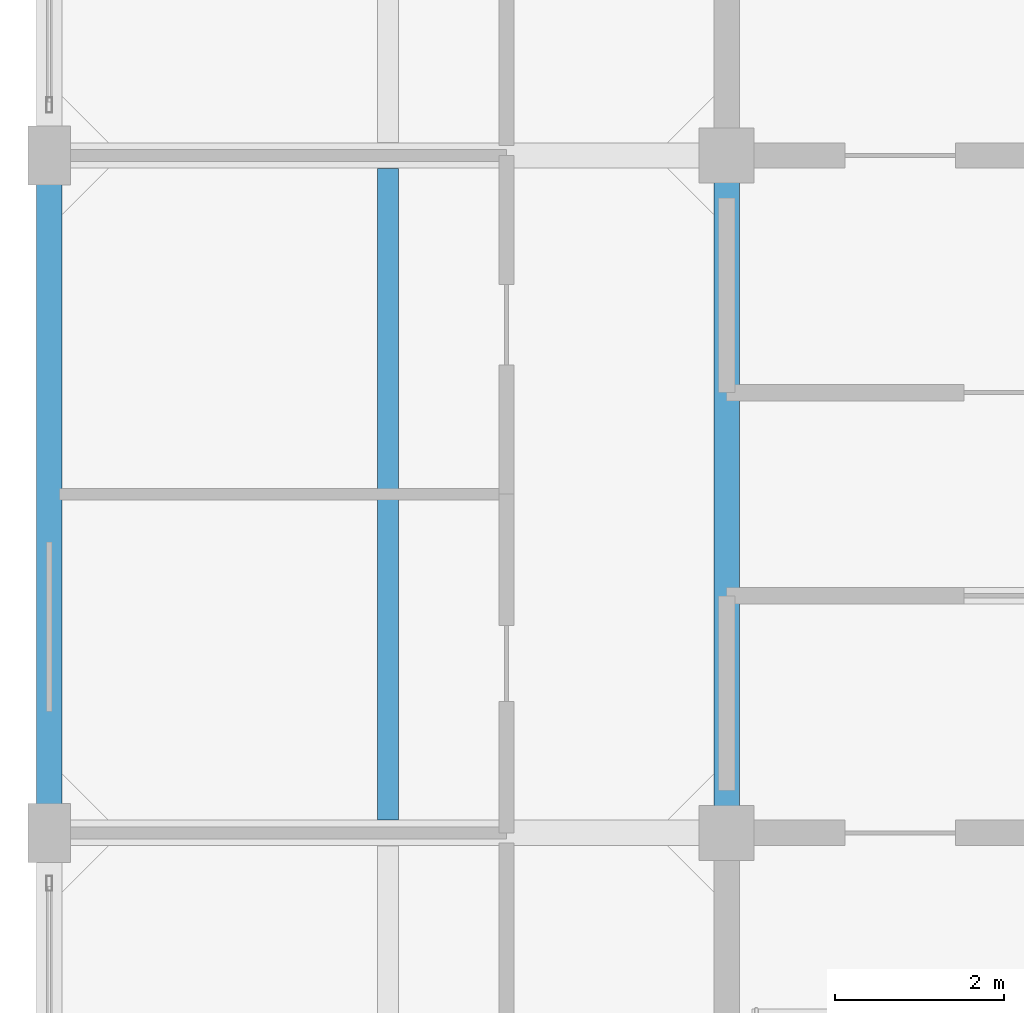
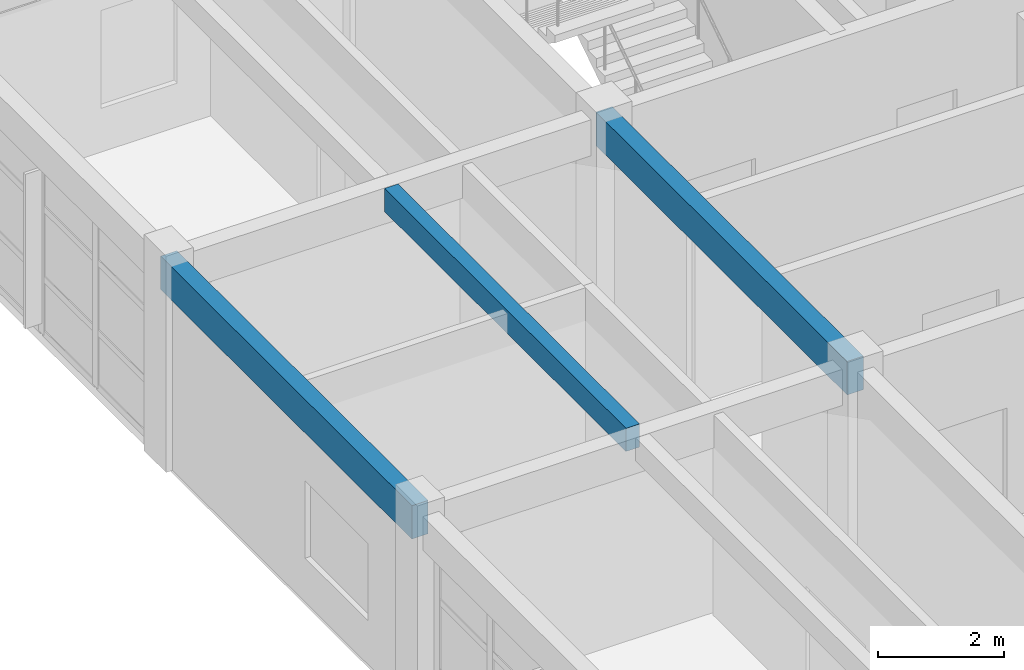
# One storey, part 3 of 16: 3 beams.
"""IFC4 building model written with IfcOpenShell, lengths in metres."""

from ifc_helpers import new_model, si_unit, direction, frame, origin, origin_2d, place, context, subcontext, project, spatial, rectangle, extrude, material, material_profile, profile_set, type_object, element, save


model = new_model("IFC4")

# Units and contexts
model_context = context("Model", 3, precision=1e-05, world=origin(), true_north=direction((0.0, 1.0)))
body_context = subcontext(model_context, "Body", "Model", "MODEL_VIEW")
ifc_project = project(units=[si_unit("LENGTHUNIT", "METRE"), si_unit("AREAUNIT", "SQUARE_METRE"), si_unit("VOLUMEUNIT", "CUBIC_METRE"), si_unit("PLANEANGLEUNIT", "RADIAN"), si_unit("MASSUNIT", "GRAM", prefix="KILO")], contexts=[model_context])

# Site, building, storey
site_placement = place(None, origin())
site = spatial("IfcSite", under=ifc_project, at=site_placement, CompositionType="ELEMENT")
building_placement = place(site_placement, origin())
building = spatial("IfcBuilding", under=site, at=building_placement, Name="Canggui Botanical Conservatory", CompositionType="ELEMENT")
storey_placement = place(building_placement, frame((0.0, 0.0, 65.39990234375)))
storey = spatial("IfcBuildingStorey", under=building, at=storey_placement, Name="L16", CompositionType="ELEMENT", Elevation=65.39990234375)

# Beams
ifc_material = material(Name="Concrete C35", Category="concrete")
ifc_material_profile_1 = material_profile(ifc_material, rectangle(XDim=0.25, YDim=0.449951171875, at=origin_2d()), Name="RB 250x450")
ifc_profile_set_1 = profile_set([ifc_material_profile_1], Name="Concrete C35")
beam_type_1 = type_object("IfcBeamType", Name="BM-JST05", PredefinedType="JOIST", material=ifc_profile_set_1)
beam_placement = place(storey_placement, frame((150.0, 50.155029296875, 3.735107421875), z_axis=(0.0, 1.0, 0.0), x_axis=(-1.0, 0.0, 0.0)))
element("IfcBeam", 1, at=beam_placement, inside=storey, type_object=beam_type_1, Name="Secondary Floor Joist L16-1-2", PredefinedType="JOIST", context=body_context, shape_type="SweptSolid", body=[
    extrude(rectangle(XDim=0.25, YDim=0.449951171875, at=origin_2d()), origin(), (0.0, 0.0, 1.0), 7.68994140625),
])
ifc_material_profile_2 = material_profile(ifc_material, rectangle(XDim=0.300048828125, YDim=0.64990234375, at=origin_2d()), Name="RB 300x650")
ifc_profile_set_2 = profile_set([ifc_material_profile_2], Name="Concrete C35")
beam_type_2 = type_object("IfcBeamType", Name="BM-KL22", PredefinedType="BEAM", material=ifc_profile_set_2)
for number, where, z_axis, x_axis, name in (
    (2, (146.0, 50.0, 3.635009765625), (0.0, 1.0, 0.0), (-1.0, 0.0, 0.0), "Frame Girder L16 X146-2"),
    (3, (154.0, 50.0, 3.635009765625), (0.0, 1.0, 0.0), (-1.0, 0.0, 0.0), "Frame Girder L16 X154-2"),
):
    element("IfcBeam", number, at=place(storey_placement, frame(where, z_axis=z_axis, x_axis=x_axis)), inside=storey, type_object=beam_type_2, Name=name, PredefinedType="BEAM", context=body_context, shape_type="SweptSolid", body=[
        extrude(rectangle(XDim=0.300048828125, YDim=0.64990234375, at=origin_2d()), origin(), (0.0, 0.0, 1.0), 8.0),
    ])

save(model, "model.ifc")
